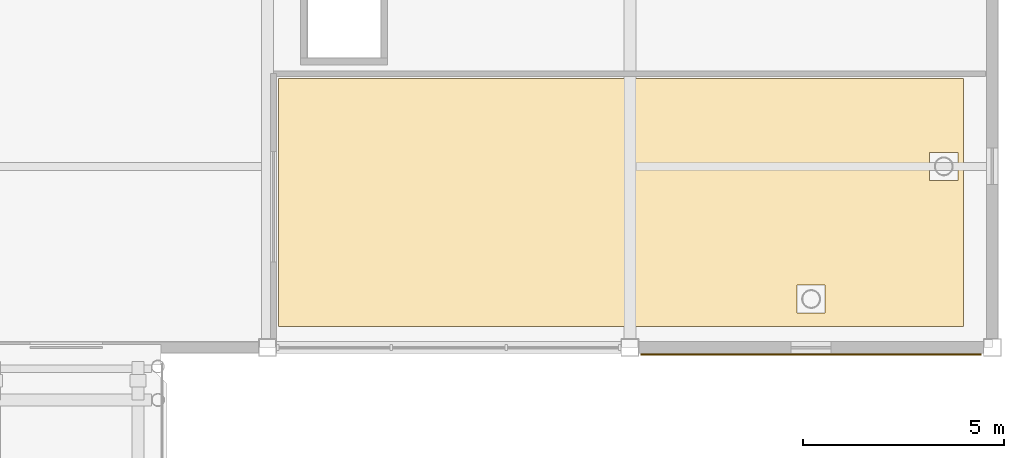
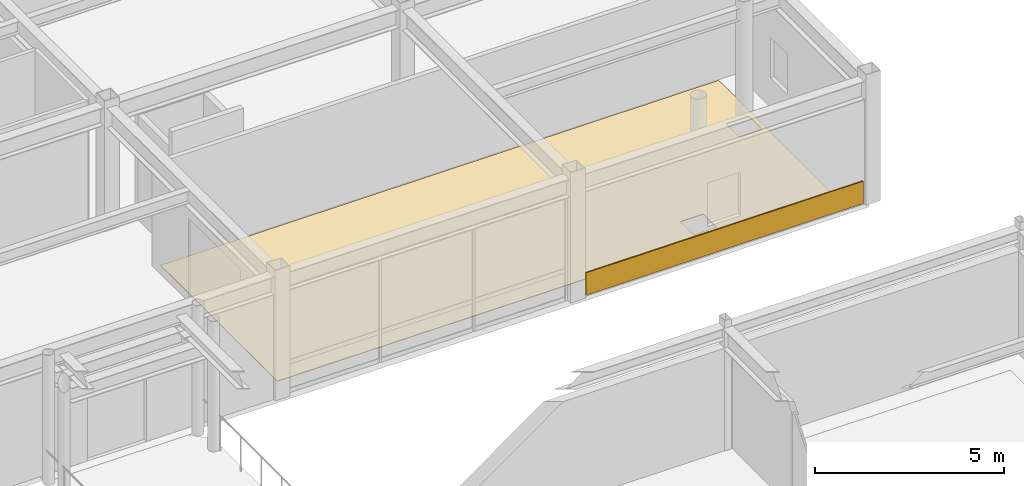
# One storey, part 103 of 105: 2 coverings.
"""IFC4 building model written with IfcOpenShell, lengths in metres."""

from ifc_helpers import new_model, si_unit, direction, frame, origin, origin_2d, place, context, subcontext, project, spatial, polyline, rectangle, outline, extrude, material, layer, layer_set, type_object, element, save


model = new_model("IFC4")

# Units and contexts
model_context = context("Model", 3, precision=1e-05, world=origin(), true_north=direction((0.0, 1.0)))
body_context = subcontext(model_context, "Body", "Model", "MODEL_VIEW")
ifc_project = project(units=[si_unit("LENGTHUNIT", "METRE"), si_unit("AREAUNIT", "SQUARE_METRE"), si_unit("VOLUMEUNIT", "CUBIC_METRE"), si_unit("PLANEANGLEUNIT", "RADIAN"), si_unit("MASSUNIT", "GRAM", prefix="KILO")], contexts=[model_context])

# Site, building, storey
site_placement = place(None, origin())
site = spatial("IfcSite", under=ifc_project, at=site_placement, CompositionType="ELEMENT")
building_placement = place(site_placement, origin())
building = spatial("IfcBuilding", under=site, at=building_placement, Name="Suzunagisa Mobility Hub", CompositionType="ELEMENT")
storey_placement = place(building_placement, frame((0.0, 0.0, 5.10009765625)))
storey = spatial("IfcBuildingStorey", under=building, at=storey_placement, Name="L01", CompositionType="ELEMENT", Elevation=5.10009765625)

# Coverings
ifc_material_1 = material(Name="Polished Aggregate Terrazzo Finish")
ifc_layer_1 = layer(ifc_material_1, 0.02001953125)
ifc_layer_set_1 = layer_set([ifc_layer_1], Name="Polished Aggregate Terrazzo Finish")
covering_type_1 = type_object("IfcCoveringType", Name="Polished Terrazzo Heavy-Traffic Flooring FLR-01", PredefinedType="FLOORING", material=ifc_layer_set_1)
covering_1_placement = place(storey_placement, origin())
element("IfcCovering", 1, at=covering_1_placement, inside=storey, type_object=covering_type_1, Name="L01 Regional Mobility Operations and Traffic Control Room Terrazzo Flooring", PredefinedType="FLOORING", context=body_context, shape_type="SweptSolid", body=[
    extrude(outline(polyline([(179.280029296875, 44.52001953125), (162.27001953125, 44.52001953125), (162.27001953125, 50.679931640625), (179.280029296875, 50.679931640625), (179.280029296875, 44.52001953125)]), holes=[polyline([(175.8486328125, 45.554443359375), (175.1513671875, 45.554443359375), (175.1513671875, 44.857177734375), (175.8486328125, 44.857177734375), (175.8486328125, 45.554443359375)]), polyline([(179.142822265625, 48.1513671875), (179.142822265625, 48.8486328125), (178.445556640625, 48.8486328125), (178.445556640625, 48.1513671875), (179.142822265625, 48.1513671875)])]), origin(), (0.0, 0.0, 1.0), 0.02001953125),
])
ifc_material_2 = material(Name="Vitreous Porcelain Enamel Aluminum Cladding", Category="aluminium")
ifc_layer_2 = layer(ifc_material_2, 0.034912109375)
ifc_layer_set_2 = layer_set([ifc_layer_2], Name="Vitreous Porcelain Enamel Aluminum Cladding")
covering_type_2 = type_object("IfcCoveringType", Name="Porcelain Enamel Spandrel Cladding Band CLD-01", PredefinedType="CLADDING", material=ifc_layer_set_2)
covering_2_placement = place(storey_placement, frame((175.5, 43.83251953125, 0.06005859375), z_axis=(0.0, 0.0, 1.0), x_axis=(1.0, 0.0, 0.0)))
element("IfcCovering", 2, at=covering_2_placement, inside=storey, type_object=covering_type_2, Name="L01 Porcelain Spandrel Cladding Band CLD-39", PredefinedType="CLADDING", context=body_context, shape_type="SweptSolid", body=[
    extrude(rectangle(XDim=8.449951171875, YDim=0.034912109375, at=origin_2d()), origin(), (0.0, 0.0, 1.0), 0.719970703125),
])

save(model, "model.ifc")
